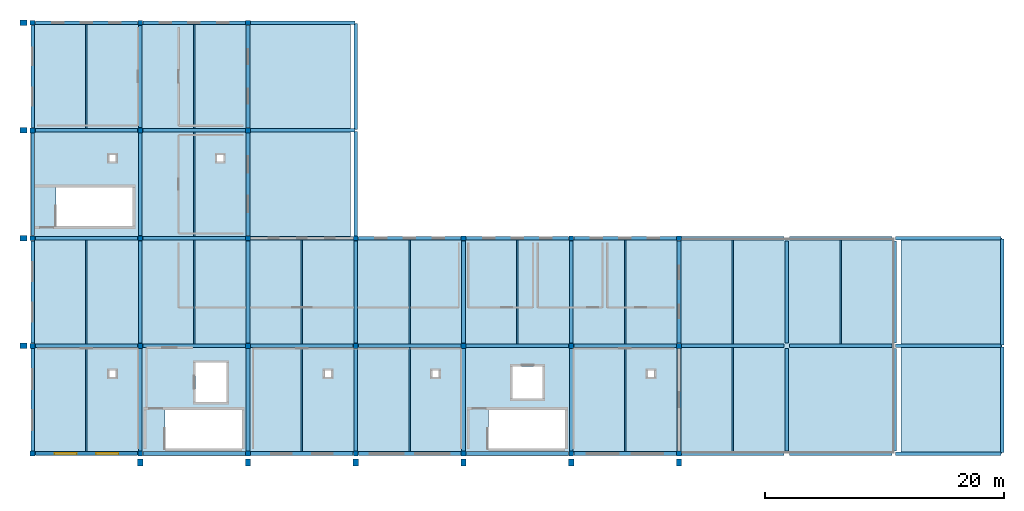
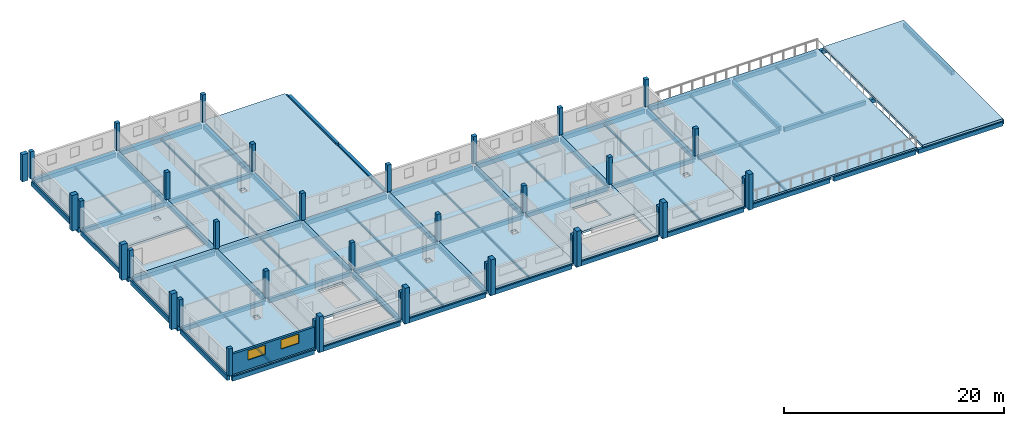
# One storey, part 1 of 6: 77 beams, 37 columns, 11 slabs, 2 windows, 1 wall, 2 openings.
"""IFC4 building model written with IfcOpenShell, lengths in metres."""

from ifc_helpers import new_model, si_unit, direction, frame, frame_2d, origin, origin_2d, place, context, subcontext, project, spatial, polyline, rectangle, i_section, outline, extrude, material, layer, layer_set, material_profile, profile_set, type_object, element, fill, save


model = new_model("IFC4")

# Units and contexts
model_context = context("Model", 3, precision=1e-05, world=origin(), true_north=direction((0.0, 1.0)))
body_context = subcontext(model_context, "Body", "Model", "MODEL_VIEW")
ifc_project = project(units=[si_unit("LENGTHUNIT", "METRE"), si_unit("AREAUNIT", "SQUARE_METRE"), si_unit("VOLUMEUNIT", "CUBIC_METRE"), si_unit("PLANEANGLEUNIT", "RADIAN"), si_unit("MASSUNIT", "GRAM", prefix="KILO")], contexts=[model_context])

# Site, building, storey
site_placement = place(None, origin())
site = spatial("IfcSite", under=ifc_project, at=site_placement, CompositionType="ELEMENT")
building_placement = place(site_placement, origin())
building = spatial("IfcBuilding", under=site, at=building_placement, Name="Tharagai Park Tramway Depot", CompositionType="ELEMENT")
storey_placement = place(building_placement, frame((0.0, 0.0, 15.0)))
storey = spatial("IfcBuildingStorey", under=building, at=storey_placement, Name="L04", CompositionType="ELEMENT", Elevation=15.0)

# Columns
ifc_material_1 = material(Name="Concrete M40", Category="concrete")
ifc_material_profile_1 = material_profile(ifc_material_1, rectangle(XDim=0.39990234375, YDim=0.39990234375, at=origin_2d()), Name="RC 400x400")
ifc_profile_set_1 = profile_set([ifc_material_profile_1], Name="Concrete M40")
column_type_1 = type_object("IfcColumnType", Name="CL-10", PredefinedType="COLUMN", material=ifc_profile_set_1)
for number, where, z_axis, x_axis, name in (
    (1, (0.0, 0.0, 0.0), (0.0, 0.0, 1.0), (1.0, 0.0, 0.0), "L04 Structural Column CL-10 (0,0)"),
    (2, (0.0, 9.0, 0.0), (0.0, 0.0, 1.0), (1.0, 0.0, 0.0), "L04 Structural Column CL-10 (0,9)"),
    (3, (0.0, 18.0, 0.0), (0.0, 0.0, 1.0), (1.0, 0.0, 0.0), "L04 Structural Column CL-10 (0,18)"),
    (4, (0.0, 27.0, 0.0), (0.0, 0.0, 1.0), (1.0, 0.0, 0.0), "L04 Structural Column CL-10 (0,27)"),
    (5, (0.0, 36.0, 0.0), (0.0, 0.0, 1.0), (1.0, 0.0, 0.0), "L04 Structural Column CL-10 (0,36)"),
    (6, (9.0, 0.0, 0.0), (0.0, 0.0, 1.0), (1.0, 0.0, 0.0), "L04 Structural Column CL-10 (9,0)"),
    (7, (9.0, 9.0, 0.0), (0.0, 0.0, 1.0), (1.0, 0.0, 0.0), "L04 Structural Column CL-10 (9,9)"),
    (8, (9.0, 18.0, 0.0), (0.0, 0.0, 1.0), (1.0, 0.0, 0.0), "L04 Structural Column CL-10 (9,18)"),
    (9, (9.0, 27.0, 0.0), (0.0, 0.0, 1.0), (1.0, 0.0, 0.0), "L04 Structural Column CL-10 (9,27)"),
    (10, (9.0, 36.0, 0.0), (0.0, 0.0, 1.0), (1.0, 0.0, 0.0), "L04 Structural Column CL-10 (9,36)"),
    (11, (18.0, 0.0, 0.0), (0.0, 0.0, 1.0), (1.0, 0.0, 0.0), "L04 Structural Column CL-10 (18,0)"),
    (12, (18.0, 9.0, 0.0), (0.0, 0.0, 1.0), (1.0, 0.0, 0.0), "L04 Structural Column CL-10 (18,9)"),
    (13, (18.0, 18.0, 0.0), (0.0, 0.0, 1.0), (1.0, 0.0, 0.0), "L04 Structural Column CL-10 (18,18)"),
    (14, (18.0, 27.0, 0.0), (0.0, 0.0, 1.0), (1.0, 0.0, 0.0), "L04 Structural Column CL-10 (18,27)"),
    (15, (18.0, 36.0, 0.0), (0.0, 0.0, 1.0), (1.0, 0.0, 0.0), "L04 Structural Column CL-10 (18,36)"),
    (16, (27.0, 0.0, 0.0), (0.0, 0.0, 1.0), (1.0, 0.0, 0.0), "L04 Structural Column CL-10 (27,0)"),
    (17, (27.0, 9.0, 0.0), (0.0, 0.0, 1.0), (1.0, 0.0, 0.0), "L04 Structural Column CL-10 (27,9)"),
    (18, (27.0, 18.0, 0.0), (0.0, 0.0, 1.0), (1.0, 0.0, 0.0), "L04 Structural Column CL-10 (27,18)"),
    (19, (36.0, 0.0, 0.0), (0.0, 0.0, 1.0), (1.0, 0.0, 0.0), "L04 Structural Column CL-10 (36,0)"),
    (20, (36.0, 9.0, 0.0), (0.0, 0.0, 1.0), (1.0, 0.0, 0.0), "L04 Structural Column CL-10 (36,9)"),
    (21, (36.0, 18.0, 0.0), (0.0, 0.0, 1.0), (1.0, 0.0, 0.0), "L04 Structural Column CL-10 (36,18)"),
    (22, (45.0, 0.0, 0.0), (0.0, 0.0, 1.0), (1.0, 0.0, 0.0), "L04 Structural Column CL-10 (45,0)"),
    (23, (45.0, 9.0, 0.0), (0.0, 0.0, 1.0), (1.0, 0.0, 0.0), "L04 Structural Column CL-10 (45,9)"),
    (24, (45.0, 18.0, 0.0), (0.0, 0.0, 1.0), (1.0, 0.0, 0.0), "L04 Structural Column CL-10 (45,18)"),
    (25, (54.0, 0.0, 0.0), (0.0, 0.0, 1.0), (1.0, 0.0, 0.0), "L04 Structural Column CL-10 (54,0)"),
    (26, (54.0, 9.0, 0.0), (0.0, 0.0, 1.0), (1.0, 0.0, 0.0), "L04 Structural Column CL-10 (54,9)"),
    (27, (54.0, 18.0, 0.0), (0.0, 0.0, 1.0), (1.0, 0.0, 0.0), "L04 Structural Column CL-10 (54,18)"),
):
    element("IfcColumn", number, at=place(storey_placement, frame(where, z_axis=z_axis, x_axis=x_axis)), inside=storey, type_object=column_type_1, Name=name, PredefinedType="COLUMN", context=body_context, shape_type="SweptSolid", body=[
        extrude(rectangle(XDim=0.39990234375, YDim=0.39990234375, at=origin_2d()), origin(), (0.0, 0.0, 1.0), 3.0),
    ])
ifc_material_profile_2 = material_profile(ifc_material_1, rectangle(XDim=0.449951171875, YDim=0.60009765625, at=origin_2d()), Name="RC 450x600")
ifc_profile_set_2 = profile_set([ifc_material_profile_2], Name="Concrete M40")
column_type_2 = type_object("IfcColumnType", Name="PL-01", PredefinedType="PILASTER", material=ifc_profile_set_2)
for number, where, z_axis, x_axis, name in (
    (28, (9.0, -0.75, 0.0), (0.0, 0.0, 1.0), (1.0, 0.0, 0.0), "L04 Stepped Gothic Buttress PL-01 S4-009"),
    (29, (18.0, -0.75, 0.0), (0.0, 0.0, 1.0), (1.0, 0.0, 0.0), "L04 Stepped Gothic Buttress PL-01 S4-018"),
    (30, (27.0, -0.75, 0.0), (0.0, 0.0, 1.0), (1.0, 0.0, 0.0), "L04 Stepped Gothic Buttress PL-01 S4-027"),
    (31, (36.0, -0.75, 0.0), (0.0, 0.0, 1.0), (1.0, 0.0, 0.0), "L04 Stepped Gothic Buttress PL-01 S4-036"),
    (32, (45.0, -0.75, 0.0), (0.0, 0.0, 1.0), (1.0, 0.0, 0.0), "L04 Stepped Gothic Buttress PL-01 S4-045"),
    (33, (54.0, -0.75, 0.0), (0.0, 0.0, 1.0), (1.0, 0.0, 0.0), "L04 Stepped Gothic Buttress PL-01 S4-054"),
    (34, (-0.75, 9.0, 0.0), (0.0, 0.0, 1.0), (0.0, 1.0, 0.0), "L04 Stepped Gothic Buttress PL-01 W-009"),
    (35, (-0.75, 18.0, 0.0), (0.0, 0.0, 1.0), (0.0, 1.0, 0.0), "L04 Stepped Gothic Buttress PL-01 W-018"),
    (36, (-0.75, 27.0, 0.0), (0.0, 0.0, 1.0), (0.0, 1.0, 0.0), "L04 Stepped Gothic Buttress PL-01 W-027"),
):
    element("IfcColumn", number, at=place(storey_placement, frame(where, z_axis=z_axis, x_axis=x_axis)), inside=storey, type_object=column_type_2, Name=name, PredefinedType="PILASTER", context=body_context, shape_type="SweptSolid", body=[
        extrude(rectangle(XDim=0.449951171875, YDim=0.60009765625, at=origin_2d()), origin(), (0.0, 0.0, 1.0), 3.949951171875),
    ])
column_placement = place(storey_placement, frame((-0.75, 36.0, 0.0), z_axis=(0.0, 0.0, 1.0), x_axis=(0.0, 1.0, 0.0)))
element("IfcColumn", 37, at=column_placement, inside=storey, type_object=column_type_2, Name="L04 Stepped Gothic Buttress PL-01 W-036", PredefinedType="PILASTER", context=body_context, shape_type="SweptSolid", body=[
    extrude(rectangle(XDim=0.449951171875, YDim=0.60009765625, at=origin_2d()), origin(), (0.0, 0.0, 1.0), 3.0),
])

# Beams
ifc_material_2 = material(Name="Concrete M35", Category="concrete")
ifc_material_profile_3 = material_profile(ifc_material_2, rectangle(XDim=0.300048828125, YDim=0.449951171875, at=origin_2d()), Name="RC 300x450")
ifc_profile_set_3 = profile_set([ifc_material_profile_3], Name="Concrete M35")
beam_type_1 = type_object("IfcBeamType", Name="BM-14", PredefinedType="BEAM", material=ifc_profile_set_3)
for number, where, z_axis, x_axis, name in (
    (38, (0.22509765625, 9.0, -0.47509765625), (1.0, 0.0, 0.0), (0.0, 1.0, 0.0), "L04 Grid Beam BM-14"),
    (39, (9.22509765625, 9.0, -0.47509765625), (1.0, 0.0, 0.0), (0.0, 1.0, 0.0), "L04 Grid Beam BM-14"),
    (40, (18.22509765625, 9.0, -0.47509765625), (1.0, 0.0, 0.0), (0.0, 1.0, 0.0), "L04 Grid Beam BM-14"),
    (41, (27.22509765625, 9.0, -0.47509765625), (1.0, 0.0, 0.0), (0.0, 1.0, 0.0), "L04 Grid Beam BM-14"),
    (42, (36.22509765625, 9.0, -0.47509765625), (1.0, 0.0, 0.0), (0.0, 1.0, 0.0), "L04 Grid Beam BM-14"),
    (43, (45.22509765625, 9.0, -0.47509765625), (1.0, 0.0, 0.0), (0.0, 1.0, 0.0), "L04 Grid Beam BM-14"),
    (44, (54.22509765625, 9.0, -0.4150390625), (1.0, 0.0, 0.0), (0.0, 1.0, 0.0), "L04 Grid Beam BM-14"),
    (45, (63.22509765625, 9.0, -0.4150390625), (1.0, 0.0, 0.0), (0.0, 1.0, 0.0), "L04 Grid Beam BM-14"),
    (46, (0.22509765625, 18.0, -0.47509765625), (1.0, 0.0, 0.0), (0.0, 1.0, 0.0), "L04 Grid Beam BM-14"),
    (47, (9.22509765625, 18.0, -0.47509765625), (1.0, 0.0, 0.0), (0.0, 1.0, 0.0), "L04 Grid Beam BM-14"),
    (48, (0.22509765625, 27.0, -0.47509765625), (1.0, 0.0, 0.0), (0.0, 1.0, 0.0), "L04 Grid Beam BM-14"),
    (49, (9.22509765625, 27.0, -0.47509765625), (1.0, 0.0, 0.0), (0.0, 1.0, 0.0), "L04 Grid Beam BM-14"),
    (50, (9.0, 0.22509765625, -0.47509765625), (0.0, 1.0, 0.0), (-1.0, 0.0, 0.0), "L04 Grid Beam BM-14"),
    (51, (9.0, 9.22509765625, -0.47509765625), (0.0, 1.0, 0.0), (-1.0, 0.0, 0.0), "L04 Grid Beam BM-14"),
    (52, (9.0, 18.22509765625, -0.47509765625), (0.0, 1.0, 0.0), (-1.0, 0.0, 0.0), "L04 Grid Beam BM-14"),
    (53, (9.0, 27.22509765625, -0.47509765625), (0.0, 1.0, 0.0), (-1.0, 0.0, 0.0), "L04 Grid Beam BM-14"),
    (54, (18.0, 0.22509765625, -0.47509765625), (0.0, 1.0, 0.0), (-1.0, 0.0, 0.0), "L04 Grid Beam BM-14"),
    (55, (18.0, 9.22509765625, -0.47509765625), (0.0, 1.0, 0.0), (-1.0, 0.0, 0.0), "L04 Grid Beam BM-14"),
    (56, (27.0, 0.22509765625, -0.47509765625), (0.0, 1.0, 0.0), (-1.0, 0.0, 0.0), "L04 Grid Beam BM-14"),
    (57, (27.0, 9.22509765625, -0.47509765625), (0.0, 1.0, 0.0), (-1.0, 0.0, 0.0), "L04 Grid Beam BM-14"),
    (58, (36.0, 0.22509765625, -0.47509765625), (0.0, 1.0, 0.0), (-1.0, 0.0, 0.0), "L04 Grid Beam BM-14"),
    (59, (36.0, 9.22509765625, -0.47509765625), (0.0, 1.0, 0.0), (-1.0, 0.0, 0.0), "L04 Grid Beam BM-14"),
    (60, (45.0, 0.22509765625, -0.47509765625), (0.0, 1.0, 0.0), (-1.0, 0.0, 0.0), "L04 Grid Beam BM-14"),
    (61, (45.0, 9.22509765625, -0.47509765625), (0.0, 1.0, 0.0), (-1.0, 0.0, 0.0), "L04 Grid Beam BM-14"),
    (62, (54.0, 0.22509765625, -0.47509765625), (0.0, 1.0, 0.0), (-1.0, 0.0, 0.0), "L04 Grid Beam BM-14"),
    (63, (54.0, 9.22509765625, -0.47509765625), (0.0, 1.0, 0.0), (-1.0, 0.0, 0.0), "L04 Grid Beam BM-14"),
    (64, (63.0, 0.22509765625, -0.4150390625), (0.0, 1.0, 0.0), (-1.0, 0.0, 0.0), "L04 Grid Beam BM-14"),
    (65, (63.0, 9.22509765625, -0.4150390625), (0.0, 1.0, 0.0), (-1.0, 0.0, 0.0), "L04 Grid Beam BM-14"),
):
    element("IfcBeam", number, at=place(storey_placement, frame(where, z_axis=z_axis, x_axis=x_axis)), inside=storey, type_object=beam_type_1, Name=name, PredefinedType="BEAM", context=body_context, shape_type="SweptSolid", body=[
        extrude(rectangle(XDim=0.300048828125, YDim=0.449951171875, at=origin_2d()), origin(), (0.0, 0.0, 1.0), 8.5498046875),
    ])
for number, where, z_axis, x_axis, name in (
    (66, (27.0, 18.080078125, -0.465087890625), (0.0, 1.0, 0.0), (-1.0, 0.0, 0.0), "L04 Roof Support Beam BM-14"),
    (67, (27.0, 27.080078125, -0.465087890625), (0.0, 1.0, 0.0), (-1.0, 0.0, 0.0), "L04 Roof Support Beam BM-14"),
    (68, (18.080078125, 27.0, -0.465087890625), (1.0, 0.0, 0.0), (0.0, 1.0, 0.0), "L04 Roof Support Beam BM-14"),
    (69, (18.080078125, 36.0, -0.465087890625), (1.0, 0.0, 0.0), (0.0, 1.0, 0.0), "L04 Roof Support Beam BM-14"),
    (70, (81.0, 0.080078125, -0.465087890625), (0.0, 1.0, 0.0), (-1.0, 0.0, 0.0), "L04 Roof Support Beam BM-14"),
    (71, (81.0, 9.080078125, -0.465087890625), (0.0, 1.0, 0.0), (-1.0, 0.0, 0.0), "L04 Roof Support Beam BM-14"),
    (72, (72.080078125, 0.0, -0.465087890625), (1.0, 0.0, 0.0), (0.0, 1.0, 0.0), "L04 Roof Support Beam BM-14"),
    (73, (72.080078125, 9.0, -0.465087890625), (1.0, 0.0, 0.0), (0.0, 1.0, 0.0), "L04 Roof Support Beam BM-14"),
    (74, (72.080078125, 18.0, -0.465087890625), (1.0, 0.0, 0.0), (0.0, 1.0, 0.0), "L04 Roof Support Beam BM-14"),
):
    element("IfcBeam", number, at=place(storey_placement, frame(where, z_axis=z_axis, x_axis=x_axis)), inside=storey, type_object=beam_type_1, Name=name, PredefinedType="BEAM", context=body_context, shape_type="SweptSolid", body=[
        extrude(rectangle(XDim=0.300048828125, YDim=0.449951171875, at=origin_2d()), origin(), (0.0, 0.0, 1.0), 8.83984375),
    ])
ifc_material_3 = material(Name="Steel E250", Category="steel")
ifc_material_profile_4 = material_profile(ifc_material_3, i_section(OverallWidth=0.125, OverallDepth=0.25, WebThickness=0.006103515625, FlangeThickness=0.00830078125, FilletRadius=0.010009765625, at=origin_2d()), Name="ISLB 250")
ifc_profile_set_4 = profile_set([ifc_material_profile_4], Name="Steel E250")
beam_type_2 = type_object("IfcBeamType", Name="JT-04", PredefinedType="JOIST", material=ifc_profile_set_4)
beam_1_placement = place(storey_placement, frame((4.5, 0.159912109375, -0.375), z_axis=(0.0, 1.0, 0.0), x_axis=(-1.0, 0.0, 0.0)))
element("IfcBeam", 75, at=beam_1_placement, inside=storey, type_object=beam_type_2, Name="L04 Secondary Joist JT-04", PredefinedType="JOIST", context=body_context, shape_type="SweptSolid", body=[
    extrude(i_section(OverallWidth=0.125, OverallDepth=0.25, WebThickness=0.006103515625, FlangeThickness=0.00830078125, FilletRadius=0.010009765625, at=origin_2d()), origin(), (0.0, 0.0, 1.0), 8.690185546875),
])
beam_2_placement = place(storey_placement, frame((4.5, 9.14990234375, -0.375), z_axis=(0.0, 1.0, 0.0), x_axis=(-1.0, 0.0, 0.0)))
element("IfcBeam", 76, at=beam_2_placement, inside=storey, type_object=beam_type_2, Name="L04 Secondary Joist JT-04", PredefinedType="JOIST", context=body_context, shape_type="SweptSolid", body=[
    extrude(i_section(OverallWidth=0.125, OverallDepth=0.25, WebThickness=0.006103515625, FlangeThickness=0.00830078125, FilletRadius=0.010009765625, at=origin_2d()), origin(), (0.0, 0.0, 1.0), 8.7001953125),
])
beam_3_placement = place(storey_placement, frame((4.5, 27.14990234375, -0.375), z_axis=(0.0, 1.0, 0.0), x_axis=(-1.0, 0.0, 0.0)))
element("IfcBeam", 77, at=beam_3_placement, inside=storey, type_object=beam_type_2, Name="L04 Secondary Joist JT-04", PredefinedType="JOIST", context=body_context, shape_type="SweptSolid", body=[
    extrude(i_section(OverallWidth=0.125, OverallDepth=0.25, WebThickness=0.006103515625, FlangeThickness=0.00830078125, FilletRadius=0.010009765625, at=origin_2d()), origin(), (0.0, 0.0, 1.0), 8.690185546875),
])
for number, where, z_axis, x_axis, name in (
    (78, (13.5, 9.14990234375, -0.375), (0.0, 1.0, 0.0), (-1.0, 0.0, 0.0), "L04 Secondary Joist JT-04"),
    (79, (13.5, 18.14990234375, -0.375), (0.0, 1.0, 0.0), (-1.0, 0.0, 0.0), "L04 Secondary Joist JT-04"),
):
    element("IfcBeam", number, at=place(storey_placement, frame(where, z_axis=z_axis, x_axis=x_axis)), inside=storey, type_object=beam_type_2, Name=name, PredefinedType="JOIST", context=body_context, shape_type="SweptSolid", body=[
        extrude(i_section(OverallWidth=0.125, OverallDepth=0.25, WebThickness=0.006103515625, FlangeThickness=0.00830078125, FilletRadius=0.010009765625, at=origin_2d()), origin(), (0.0, 0.0, 1.0), 8.7001953125),
    ])
for number, where, z_axis, x_axis, name in (
    (80, (13.5, 27.14990234375, -0.375), (0.0, 1.0, 0.0), (-1.0, 0.0, 0.0), "L04 Secondary Joist JT-04"),
    (81, (22.5, 0.159912109375, -0.375), (0.0, 1.0, 0.0), (-1.0, 0.0, 0.0), "L04 Secondary Joist JT-04"),
    (82, (22.5, 9.14990234375, -0.375), (0.0, 1.0, 0.0), (-1.0, 0.0, 0.0), "L04 Secondary Joist JT-04"),
    (83, (31.5, 0.159912109375, -0.375), (0.0, 1.0, 0.0), (-1.0, 0.0, 0.0), "L04 Secondary Joist JT-04"),
    (84, (31.5, 9.14990234375, -0.375), (0.0, 1.0, 0.0), (-1.0, 0.0, 0.0), "L04 Secondary Joist JT-04"),
    (85, (40.5, 9.14990234375, -0.375), (0.0, 1.0, 0.0), (-1.0, 0.0, 0.0), "L04 Secondary Joist JT-04"),
    (86, (49.5, 0.159912109375, -0.375), (0.0, 1.0, 0.0), (-1.0, 0.0, 0.0), "L04 Secondary Joist JT-04"),
    (87, (49.5, 9.14990234375, -0.375), (0.0, 1.0, 0.0), (-1.0, 0.0, 0.0), "L04 Secondary Joist JT-04"),
    (88, (58.5, 0.159912109375, -0.31494140625), (0.0, 1.0, 0.0), (-1.0, 0.0, 0.0), "L04 Secondary Joist JT-04"),
    (89, (58.5, 9.14990234375, -0.31494140625), (0.0, 1.0, 0.0), (-1.0, 0.0, 0.0), "L04 Secondary Joist JT-04"),
    (90, (67.5, 9.14990234375, -0.31494140625), (0.0, 1.0, 0.0), (-1.0, 0.0, 0.0), "L04 Secondary Joist JT-04"),
):
    element("IfcBeam", number, at=place(storey_placement, frame(where, z_axis=z_axis, x_axis=x_axis)), inside=storey, type_object=beam_type_2, Name=name, PredefinedType="JOIST", context=body_context, shape_type="SweptSolid", body=[
        extrude(i_section(OverallWidth=0.125, OverallDepth=0.25, WebThickness=0.006103515625, FlangeThickness=0.00830078125, FilletRadius=0.010009765625, at=origin_2d()), origin(), (0.0, 0.0, 1.0), 8.690185546875),
    ])
ifc_material_profile_5 = material_profile(ifc_material_2, rectangle(XDim=0.300048828125, YDim=0.5, at=origin_2d()), Name="RC 300x500")
ifc_profile_set_5 = profile_set([ifc_material_profile_5], Name="Concrete M35")
beam_type_3 = type_object("IfcBeamType", Name="SP-03", PredefinedType="SPANDREL", material=ifc_profile_set_5)
for number, where, z_axis, x_axis, name in (
    (91, (0.0, 0.22509765625, -0.5), (0.0, 1.0, 0.0), (-1.0, 0.0, 0.0), "L04 Grid Beam SP-03"),
    (92, (0.0, 9.22509765625, -0.5), (0.0, 1.0, 0.0), (-1.0, 0.0, 0.0), "L04 Grid Beam SP-03"),
    (93, (0.0, 18.22509765625, -0.5), (0.0, 1.0, 0.0), (-1.0, 0.0, 0.0), "L04 Grid Beam SP-03"),
    (94, (0.0, 27.22509765625, -0.5), (0.0, 1.0, 0.0), (-1.0, 0.0, 0.0), "L04 Grid Beam SP-03"),
    (95, (18.0, 18.22509765625, -0.5), (0.0, 1.0, 0.0), (-1.0, 0.0, 0.0), "L04 Grid Beam SP-03"),
    (96, (18.0, 27.22509765625, -0.5), (0.0, 1.0, 0.0), (-1.0, 0.0, 0.0), "L04 Grid Beam SP-03"),
    (97, (72.0, 0.22509765625, -0.43994140625), (0.0, 1.0, 0.0), (-1.0, 0.0, 0.0), "L04 Grid Beam SP-03"),
    (98, (72.0, 9.22509765625, -0.43994140625), (0.0, 1.0, 0.0), (-1.0, 0.0, 0.0), "L04 Grid Beam SP-03"),
):
    element("IfcBeam", number, at=place(storey_placement, frame(where, z_axis=z_axis, x_axis=x_axis)), inside=storey, type_object=beam_type_3, Name=name, PredefinedType="SPANDREL", context=body_context, shape_type="SweptSolid", body=[
        extrude(rectangle(XDim=0.300048828125, YDim=0.5, at=origin_2d()), origin(), (0.0, 0.0, 1.0), 8.5498046875),
    ])
ifc_material_profile_6 = material_profile(ifc_material_2, rectangle(XDim=0.320068359375, YDim=0.47998046875, at=origin_2d()), Name="RC 320x480")
ifc_profile_set_6 = profile_set([ifc_material_profile_6], Name="Concrete M35")
beam_type_4 = type_object("IfcBeamType", Name="SP-05", PredefinedType="SPANDREL", material=ifc_profile_set_6)
for number, where, z_axis, x_axis, name in (
    (99, (0.22509765625, 0.0, -0.489990234375), (1.0, 0.0, 0.0), (0.0, 1.0, 0.0), "L04 Grid Beam SP-05"),
    (100, (9.22509765625, 0.0, -0.489990234375), (1.0, 0.0, 0.0), (0.0, 1.0, 0.0), "L04 Grid Beam SP-05"),
    (101, (18.22509765625, 0.0, -0.489990234375), (1.0, 0.0, 0.0), (0.0, 1.0, 0.0), "L04 Grid Beam SP-05"),
    (102, (27.22509765625, 0.0, -0.489990234375), (1.0, 0.0, 0.0), (0.0, 1.0, 0.0), "L04 Grid Beam SP-05"),
    (103, (36.22509765625, 0.0, -0.489990234375), (1.0, 0.0, 0.0), (0.0, 1.0, 0.0), "L04 Grid Beam SP-05"),
    (104, (45.22509765625, 0.0, -0.489990234375), (1.0, 0.0, 0.0), (0.0, 1.0, 0.0), "L04 Grid Beam SP-05"),
    (105, (54.22509765625, 0.0, -0.429931640625), (1.0, 0.0, 0.0), (0.0, 1.0, 0.0), "L04 Grid Beam SP-05"),
    (106, (63.22509765625, 0.0, -0.429931640625), (1.0, 0.0, 0.0), (0.0, 1.0, 0.0), "L04 Grid Beam SP-05"),
    (107, (18.22509765625, 18.0, -0.489990234375), (1.0, 0.0, 0.0), (0.0, 1.0, 0.0), "L04 Grid Beam SP-05"),
    (108, (27.22509765625, 18.0, -0.489990234375), (1.0, 0.0, 0.0), (0.0, 1.0, 0.0), "L04 Grid Beam SP-05"),
    (109, (36.22509765625, 18.0, -0.489990234375), (1.0, 0.0, 0.0), (0.0, 1.0, 0.0), "L04 Grid Beam SP-05"),
    (110, (45.22509765625, 18.0, -0.489990234375), (1.0, 0.0, 0.0), (0.0, 1.0, 0.0), "L04 Grid Beam SP-05"),
    (111, (54.22509765625, 18.0, -0.429931640625), (1.0, 0.0, 0.0), (0.0, 1.0, 0.0), "L04 Grid Beam SP-05"),
    (112, (63.22509765625, 18.0, -0.429931640625), (1.0, 0.0, 0.0), (0.0, 1.0, 0.0), "L04 Grid Beam SP-05"),
    (113, (0.22509765625, 36.0, -0.489990234375), (1.0, 0.0, 0.0), (0.0, 1.0, 0.0), "L04 Grid Beam SP-05"),
    (114, (9.22509765625, 36.0, -0.489990234375), (1.0, 0.0, 0.0), (0.0, 1.0, 0.0), "L04 Grid Beam SP-05"),
):
    element("IfcBeam", number, at=place(storey_placement, frame(where, z_axis=z_axis, x_axis=x_axis)), inside=storey, type_object=beam_type_4, Name=name, PredefinedType="SPANDREL", context=body_context, shape_type="SweptSolid", body=[
        extrude(rectangle(XDim=0.320068359375, YDim=0.47998046875, at=origin_2d()), origin(), (0.0, 0.0, 1.0), 8.5498046875),
    ])

# Slabs
ifc_layer_1 = layer(ifc_material_2, 0.239990234375)
ifc_layer_set_1 = layer_set([ifc_layer_1], Name="Concrete M35")
slab_type_1 = type_object("IfcSlabType", Name="RS-03", PredefinedType="ROOF", material=ifc_layer_set_1)
slab_1_placement = place(storey_placement, frame((0.0, 0.0, -0.239990234375)))
element("IfcSlab", 115, at=slab_1_placement, inside=storey, type_object=slab_type_1, Name="L04 V4 Flat Roof Slab", PredefinedType="ROOF", context=body_context, shape_type="SweptSolid", body=[
    extrude(outline(polyline([(18.0, 18.0), (26.550048828125, 18.0), (26.550048828125, 36.0), (18.0, 36.0), (18.0, 18.0)])), origin(), (0.0, 0.0, 1.0), 0.239990234375),
])
slab_2_placement = place(storey_placement, frame((0.0, 0.0, -0.239990234375)))
element("IfcSlab", 116, at=slab_2_placement, inside=storey, type_object=slab_type_1, Name="L04 V4 Flat Roof Slab", PredefinedType="ROOF", context=body_context, shape_type="SweptSolid", body=[
    extrude(outline(polyline([(72.550048828125, 0.0), (81.0, 0.0), (81.0, 18.0), (72.550048828125, 18.0), (72.550048828125, 0.0)])), origin(), (0.0, 0.0, 1.0), 0.239990234375),
])
ifc_layer_2 = layer(ifc_material_2, 0.25)
ifc_layer_set_2 = layer_set([ifc_layer_2], Name="Concrete M35")
slab_type_2 = type_object("IfcSlabType", Name="SB-03", PredefinedType="FLOOR", material=ifc_layer_set_2)
slab_3_placement = place(storey_placement, frame((0.0, 0.0, -0.25)))
element("IfcSlab", 117, at=slab_3_placement, inside=storey, type_object=slab_type_2, Name="L04 V4 Suspended Floor Slab Bay 1", PredefinedType="FLOOR", context=body_context, shape_type="SweptSolid", body=[
    extrude(outline(polyline([(0.0, 0.0), (9.0, 0.0), (9.0, 18.0), (0.0, 18.0), (0.0, 0.0)]), holes=[polyline([(6.39990234375, 6.39990234375), (6.949951171875, 6.39990234375), (6.949951171875, 6.949951171875), (6.39990234375, 6.949951171875), (6.39990234375, 6.39990234375)])]), origin(), (0.0, 0.0, 1.0), 0.25),
])
slab_4_placement = place(storey_placement, frame((0.0, 0.0, -0.25)))
element("IfcSlab", 118, at=slab_4_placement, inside=storey, type_object=slab_type_2, Name="L04 V4 Suspended Floor Slab Bay 2", PredefinedType="FLOOR", context=body_context, shape_type="SweptSolid", body=[
    extrude(outline(polyline([(9.0, 0.0), (18.0, 0.0), (18.0, 18.0), (9.0, 18.0), (9.0, 0.0)]), holes=[polyline([(11.070068359375, 0.39990234375), (17.47998046875, 0.39990234375), (17.47998046875, 3.64990234375), (11.070068359375, 3.64990234375), (11.070068359375, 0.39990234375)]), polyline([(13.60009765625, 4.300048828125), (16.199951171875, 4.300048828125), (16.199951171875, 7.60009765625), (13.60009765625, 7.60009765625), (13.60009765625, 4.300048828125)])]), origin(), (0.0, 0.0, 1.0), 0.25),
])
slab_5_placement = place(storey_placement, frame((0.0, 0.0, -0.25)))
element("IfcSlab", 119, at=slab_5_placement, inside=storey, type_object=slab_type_2, Name="L04 V4 Suspended Floor Slab Bay 3", PredefinedType="FLOOR", context=body_context, shape_type="SweptSolid", body=[
    extrude(outline(polyline([(18.0, 0.0), (27.0, 0.0), (27.0, 18.0), (18.0, 18.0), (18.0, 0.0)]), holes=[polyline([(24.39990234375, 6.39990234375), (24.949951171875, 6.39990234375), (24.949951171875, 6.949951171875), (24.39990234375, 6.949951171875), (24.39990234375, 6.39990234375)])]), origin(), (0.0, 0.0, 1.0), 0.25),
])
slab_6_placement = place(storey_placement, frame((0.0, 0.0, -0.25)))
element("IfcSlab", 120, at=slab_6_placement, inside=storey, type_object=slab_type_2, Name="L04 V4 Suspended Floor Slab Bay 4", PredefinedType="FLOOR", context=body_context, shape_type="SweptSolid", body=[
    extrude(outline(polyline([(27.0, 0.0), (36.0, 0.0), (36.0, 18.0), (27.0, 18.0), (27.0, 0.0)]), holes=[polyline([(33.39990234375, 6.39990234375), (33.949951171875, 6.39990234375), (33.949951171875, 6.949951171875), (33.39990234375, 6.949951171875), (33.39990234375, 6.39990234375)])]), origin(), (0.0, 0.0, 1.0), 0.25),
])
slab_7_placement = place(storey_placement, frame((0.0, 0.0, -0.25)))
element("IfcSlab", 121, at=slab_7_placement, inside=storey, type_object=slab_type_2, Name="L04 V4 Suspended Floor Slab Bay 5", PredefinedType="FLOOR", context=body_context, shape_type="SweptSolid", body=[
    extrude(outline(polyline([(36.0, 0.0), (45.0, 0.0), (45.0, 18.0), (36.0, 18.0), (36.0, 0.0)]), holes=[polyline([(38.070068359375, 0.39990234375), (44.47998046875, 0.39990234375), (44.47998046875, 3.64990234375), (38.070068359375, 3.64990234375), (38.070068359375, 0.39990234375)]), polyline([(40.10009765625, 4.60009765625), (42.60009765625, 4.60009765625), (42.60009765625, 7.300048828125), (40.10009765625, 7.300048828125), (40.10009765625, 4.60009765625)])]), origin(), (0.0, 0.0, 1.0), 0.25),
])
slab_8_placement = place(storey_placement, frame((0.0, 0.0, -0.25)))
element("IfcSlab", 122, at=slab_8_placement, inside=storey, type_object=slab_type_2, Name="L04 V4 Suspended Floor Slab Bay 6", PredefinedType="FLOOR", context=body_context, shape_type="SweptSolid", body=[
    extrude(outline(polyline([(45.0, 0.0), (54.0, 0.0), (54.0, 18.0), (45.0, 18.0), (45.0, 0.0)]), holes=[polyline([(51.39990234375, 6.39990234375), (51.949951171875, 6.39990234375), (51.949951171875, 6.949951171875), (51.39990234375, 6.949951171875), (51.39990234375, 6.39990234375)])]), origin(), (0.0, 0.0, 1.0), 0.25),
])
slab_9_placement = place(storey_placement, frame((0.0, 0.0, -0.25)))
element("IfcSlab", 123, at=slab_9_placement, inside=storey, type_object=slab_type_2, Name="L04 V4 Suspended Floor Slab Bay 1", PredefinedType="FLOOR", context=body_context, shape_type="SweptSolid", body=[
    extrude(outline(polyline([(0.0, 18.0), (9.0, 18.0), (9.0, 36.0), (0.0, 36.0), (0.0, 18.0)]), holes=[polyline([(1.949951171875, 19.0), (8.360107421875, 19.0), (8.360107421875, 22.25), (1.949951171875, 22.25), (1.949951171875, 19.0)]), polyline([(6.39990234375, 24.39990234375), (6.949951171875, 24.39990234375), (6.949951171875, 24.949951171875), (6.39990234375, 24.949951171875), (6.39990234375, 24.39990234375)])]), origin(), (0.0, 0.0, 1.0), 0.25),
])
slab_10_placement = place(storey_placement, frame((0.0, 0.0, -0.25)))
element("IfcSlab", 124, at=slab_10_placement, inside=storey, type_object=slab_type_2, Name="L04 V4 Suspended Floor Slab Bay 2", PredefinedType="FLOOR", context=body_context, shape_type="SweptSolid", body=[
    extrude(outline(polyline([(9.0, 18.0), (18.0, 18.0), (18.0, 36.0), (9.0, 36.0), (9.0, 18.0)]), holes=[polyline([(15.39990234375, 24.39990234375), (15.949951171875, 24.39990234375), (15.949951171875, 24.949951171875), (15.39990234375, 24.949951171875), (15.39990234375, 24.39990234375)])]), origin(), (0.0, 0.0, 1.0), 0.25),
])
ifc_layer_3 = layer(ifc_material_2, 0.18994140625)
ifc_layer_set_3 = layer_set([ifc_layer_3], Name="Concrete M35")
slab_type_3 = type_object("IfcSlabType", Name="SB-10", PredefinedType="FLOOR", material=ifc_layer_set_3)
slab_11_placement = place(storey_placement, frame((0.0, 0.0, -0.18994140625)))
element("IfcSlab", 125, at=slab_11_placement, inside=storey, type_object=slab_type_3, Name="L04 Crown Belvedere Terrace Slab", PredefinedType="FLOOR", context=body_context, shape_type="SweptSolid", body=[
    extrude(outline(polyline([(54.0, 0.0), (72.0, 0.0), (72.0, 18.0), (54.0, 18.0), (54.0, 0.0)])), origin(), (0.0, 0.0, 1.0), 0.18994140625),
])

# Wall, openings, windows
ifc_material_4 = material(Name="Pressed clay brick", Category="masonry")
ifc_layer_4 = layer(ifc_material_4, 0.22998046875)
ifc_layer_set_4 = layer_set([ifc_layer_4], Name="Pressed clay brick")
wall_type = type_object("IfcWallType", Name="EW-06", PredefinedType="SOLIDWALL", material=ifc_layer_set_4)
wall_placement = place(storey_placement, frame((0.197998046875, 0.0, 0.0), z_axis=(0.0, 0.0, 1.0), x_axis=(1.0, 0.0, 0.0)))
wall = element("IfcWall", 126, at=wall_placement, inside=storey, type_object=wall_type, Name="L04 V4 Exterior Masonry Wall EW-06", PredefinedType="SOLIDWALL", context=body_context, shape_type="SweptSolid", body=[
    extrude(rectangle(XDim=8.60400390625, YDim=0.22998046875, at=frame_2d((4.302001953125, 0.0))), origin(), (0.0, 0.0, 1.0), 2.241943359375),
])
opening_1_placement = place(wall_placement, frame((1.635009765625, 0.0, 1.02001953125)))
opening_1 = element("IfcOpeningElement", 127, at=opening_1_placement, cuts=wall, Name="Opening WN-05", PredefinedType="OPENING", context=body_context, shape_type="SweptSolid", body=[
    extrude(rectangle(XDim=1.85009765625, YDim=1.0400390625, at=frame_2d((0.925048828125, 0.52001953125))), frame((0.0, 0.125, 0.0), z_axis=(0.0, -1.0, 0.0), x_axis=(1.0, 0.0, 0.0)), (0.0, 0.0, 1.0), 0.25),
])
opening_2_placement = place(wall_placement, frame((5.118896484375, 0.0, 1.02001953125)))
opening_2 = element("IfcOpeningElement", 128, at=opening_2_placement, cuts=wall, Name="Opening WN-05", PredefinedType="OPENING", context=body_context, shape_type="SweptSolid", body=[
    extrude(rectangle(XDim=1.85009765625, YDim=1.0400390625, at=frame_2d((0.925048828125, 0.52001953125))), frame((0.0, 0.125, 0.0), z_axis=(0.0, -1.0, 0.0), x_axis=(1.0, 0.0, 0.0)), (0.0, 0.0, 1.0), 0.25),
])
ifc_material_5 = material(Name="Laminated solar-control glass", Category="glass")
window_type = type_object("IfcWindowType", Name="WN-05", PartitioningType="SINGLE_PANEL", PredefinedType="WINDOW", material=ifc_material_5)
window_1_placement = place(opening_1_placement, origin())
window_1 = element("IfcWindow", 129, at=window_1_placement, inside=storey, type_object=window_type, Name="L04 V4 Gothic Lancet Window WN-05", OverallHeight=1.0400390625, OverallWidth=1.85009765625, PartitioningType="SINGLE_PANEL", PredefinedType="WINDOW", context=body_context, shape_type="SweptSolid", body=[
    extrude(rectangle(XDim=1.85009765625, YDim=1.0400390625, at=frame_2d((0.925048828125, 0.52001953125))), frame((0.0, 0.030029296875, 0.0), z_axis=(0.0, -1.0, 0.0), x_axis=(1.0, 0.0, 0.0)), (0.0, 0.0, 1.0), 0.06005859375),
])
fill(opening_1, window_1)
window_2_placement = place(opening_2_placement, origin())
window_2 = element("IfcWindow", 130, at=window_2_placement, inside=storey, type_object=window_type, Name="L04 V4 Gothic Lancet Window WN-05", OverallHeight=1.0400390625, OverallWidth=1.85009765625, PartitioningType="SINGLE_PANEL", PredefinedType="WINDOW", context=body_context, shape_type="SweptSolid", body=[
    extrude(rectangle(XDim=1.85009765625, YDim=1.0400390625, at=frame_2d((0.925048828125, 0.52001953125))), frame((0.0, 0.030029296875, 0.0), z_axis=(0.0, -1.0, 0.0), x_axis=(1.0, 0.0, 0.0)), (0.0, 0.0, 1.0), 0.06005859375),
])
fill(opening_2, window_2)

save(model, "model.ifc")
